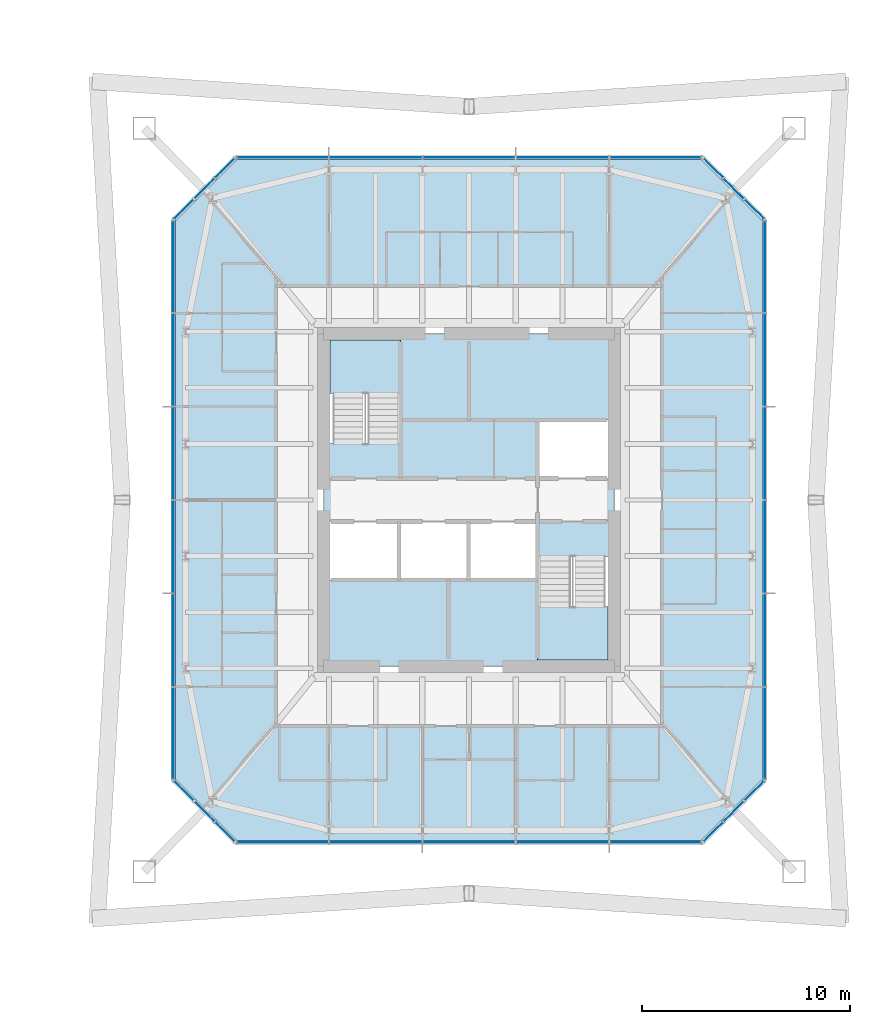
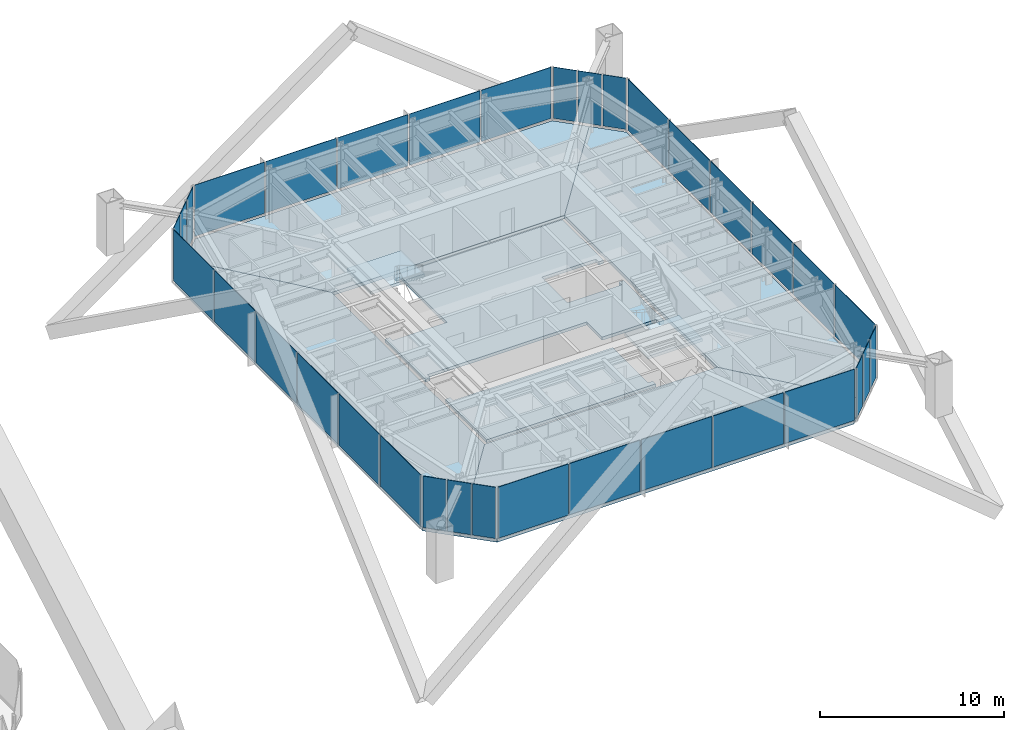
# One storey, part 11 of 21: 34 plates, 8 slabs, 10 elements without a shape of their own.
"""IFC4 building model written with IfcOpenShell, lengths in metres."""

from ifc_helpers import new_model, si_unit, direction, frame, origin, origin_2d, place, context, subcontext, project, spatial, polyline, rectangle, outline, extrude, material, layer, layer_set, constituent, constituent_set, type_object, element, aggregate, save


model = new_model("IFC4")

# Units and contexts
model_context = context("Model", 3, precision=1e-05, world=origin(), true_north=direction((0.0, 1.0)))
body_context = subcontext(model_context, "Body", "Model", "MODEL_VIEW")
ifc_project = project(units=[si_unit("LENGTHUNIT", "METRE"), si_unit("AREAUNIT", "SQUARE_METRE"), si_unit("VOLUMEUNIT", "CUBIC_METRE"), si_unit("PLANEANGLEUNIT", "RADIAN"), si_unit("MASSUNIT", "GRAM", prefix="KILO")], contexts=[model_context])

# Site, building, storey
site_placement = place(None, origin())
site = spatial("IfcSite", under=ifc_project, at=site_placement, CompositionType="ELEMENT")
building_placement = place(site_placement, origin())
building = spatial("IfcBuilding", under=site, at=building_placement, Name="Iwan Alto Co-Living Towers", CompositionType="ELEMENT")
storey_placement = place(building_placement, frame((0.0, 0.0, 80.5)))
storey = spatial("IfcBuildingStorey", under=building, at=storey_placement, Name="L21", CompositionType="ELEMENT", Elevation=80.5)

# Slabs
ifc_material_1 = material(Name="Concrete f'c 30 MPa", Category="concrete")
ifc_layer_1 = layer(ifc_material_1, 0.199951171875)
ifc_layer_set_1 = layer_set([ifc_layer_1], Name="CORE FLOOR SLAB 200")
slab_type_1 = type_object("IfcSlabType", Name="CORE FLOOR SLAB 200", PredefinedType="FLOOR", material=ifc_layer_set_1)
slab_1_placement = place(storey_placement, frame((0.0, 0.0, -0.199951171875)))
element("IfcSlab", 1, at=slab_1_placement, inside=storey, type_object=slab_type_1, Name="T2 core floor L21", PredefinedType="FLOOR", context=body_context, shape_type="SweptSolid", body=[
    extrude(outline(polyline([(70.0, -3.030029296875), (69.699951171875, -3.030029296875), (69.699951171875, -2.719970703125), (66.300048828125, -2.719970703125), (66.300048828125, -1.050048828125), (62.967041015625, -1.050048828125), (59.633056640625, -1.050048828125), (56.300048828125, -1.050048828125), (56.300048828125, -1.360107421875), (56.0, -1.360107421875), (56.0, 3.030029296875), (56.300048828125, 3.030029296875), (56.300048828125, 2.719970703125), (59.699951171875, 2.719970703125), (59.699951171875, 7.699951171875), (59.389892578125, 7.699951171875), (59.389892578125, 8.0), (70.0, 8.0), (70.0, 3.5400390625), (69.699951171875, 3.5400390625), (69.699951171875, 3.85009765625), (66.300048828125, 3.85009765625), (66.300048828125, 1.050048828125), (69.699951171875, 1.050048828125), (69.699951171875, 1.360107421875), (70.0, 1.360107421875), (70.0, -3.030029296875)])), origin(), (0.0, 0.0, 1.0), 0.199951171875),
])
slab_2_placement = place(storey_placement, frame((0.0, 0.0, -0.199951171875)))
element("IfcSlab", 2, at=slab_2_placement, inside=storey, type_object=slab_type_1, Name="T2 core floor L21", PredefinedType="FLOOR", context=body_context, shape_type="SweptSolid", body=[
    extrude(outline(polyline([(62.967041015625, -3.85009765625), (66.300048828125, -3.85009765625), (66.300048828125, -7.699951171875), (66.610107421875, -7.699951171875), (66.610107421875, -8.0), (56.0, -8.0), (56.0, -3.5400390625), (56.300048828125, -3.5400390625), (56.300048828125, -3.85009765625), (59.633056640625, -3.85009765625), (62.967041015625, -3.85009765625)])), origin(), (0.0, 0.0, 1.0), 0.199951171875),
])

# Curtain wall, plates
ifc_material_2 = material(Name="Bronze aluminium unitised frame", Category="aluminium")
curtain_wall_type_1 = type_object("IfcCurtainWallType", Name="CURTAIN WALL CW-C", PredefinedType="NOTDEFINED", material=ifc_material_2)
curtain_wall_1_placement = place(storey_placement, origin())
curtain_wall_1 = element("IfcCurtainWall", 3, at=curtain_wall_1_placement, inside=storey, type_object=curtain_wall_type_1, Name="T2 curtain wall S L21", PredefinedType="NOTDEFINED")
ifc_material_3 = material(Name="Bronze-tinted insulating glass", Category="glass")
ifc_layer_2 = layer(ifc_material_3, 0.031982421875)
ifc_layer_set_2 = layer_set([ifc_layer_2], Name="CW-C PANEL TINTED IGU 32")
plate_type_1 = type_object("IfcPlateType", Name="CW-C PANEL TINTED IGU 32", PredefinedType="CURTAIN_PANEL", material=ifc_layer_set_2)
plate_1_placement = place(storey_placement, frame((54.02001953125, -16.5, 0.10009765625), z_axis=(0.0, 0.0, 1.0), x_axis=(1.0, 0.0, 0.0)))
plate_1 = element("IfcPlate", 4, at=plate_1_placement, type_object=plate_type_1, Name="CW-C panel 1.1", PredefinedType="CURTAIN_PANEL", context=body_context, shape_type="SweptSolid", body=[
    extrude(rectangle(XDim=4.3798828125, YDim=0.031982421875, at=origin_2d()), origin(), (0.0, 0.0, 1.0), 3.39990234375),
])
plate_2_placement = place(storey_placement, frame((58.5, -16.5, 0.10009765625), z_axis=(0.0, 0.0, 1.0), x_axis=(1.0, 0.0, 0.0)))
plate_2 = element("IfcPlate", 5, at=plate_2_placement, type_object=plate_type_1, Name="CW-C panel 2.1", PredefinedType="CURTAIN_PANEL", context=body_context, shape_type="SweptSolid", body=[
    extrude(rectangle(XDim=4.419921875, YDim=0.031982421875, at=origin_2d()), origin(), (0.0, 0.0, 1.0), 3.39990234375),
])
plate_3_placement = place(storey_placement, frame((63.0, -16.5, 0.10009765625), z_axis=(0.0, 0.0, 1.0), x_axis=(1.0, 0.0, 0.0)))
plate_3 = element("IfcPlate", 6, at=plate_3_placement, type_object=plate_type_1, Name="CW-C panel 3.1", PredefinedType="CURTAIN_PANEL", context=body_context, shape_type="SweptSolid", body=[
    extrude(rectangle(XDim=4.419921875, YDim=0.031982421875, at=origin_2d()), origin(), (0.0, 0.0, 1.0), 3.39990234375),
])
plate_4_placement = place(storey_placement, frame((67.5, -16.5, 0.10009765625), z_axis=(0.0, 0.0, 1.0), x_axis=(1.0, 0.0, 0.0)))
plate_4 = element("IfcPlate", 7, at=plate_4_placement, type_object=plate_type_1, Name="CW-C panel 4.1", PredefinedType="CURTAIN_PANEL", context=body_context, shape_type="SweptSolid", body=[
    extrude(rectangle(XDim=4.419921875, YDim=0.031982421875, at=origin_2d()), origin(), (0.0, 0.0, 1.0), 3.39990234375),
])
plate_5_placement = place(storey_placement, frame((71.97998046875, -16.5, 0.10009765625), z_axis=(0.0, 0.0, 1.0), x_axis=(1.0, 0.0, 0.0)))
plate_5 = element("IfcPlate", 8, at=plate_5_placement, type_object=plate_type_1, Name="CW-C panel 5.1", PredefinedType="CURTAIN_PANEL", context=body_context, shape_type="SweptSolid", body=[
    extrude(rectangle(XDim=4.3798828125, YDim=0.031982421875, at=origin_2d()), origin(), (0.0, 0.0, 1.0), 3.39990234375),
])
aggregate(curtain_wall_1, [plate_1, plate_2, plate_3, plate_4, plate_5])

curtain_wall_2_placement = place(storey_placement, origin())
curtain_wall_2 = element("IfcCurtainWall", 9, at=curtain_wall_2_placement, inside=storey, type_object=curtain_wall_type_1, Name="T2 curtain wall E L21", PredefinedType="NOTDEFINED")
plate_6_placement = place(storey_placement, frame((77.25, -11.22998046875, 0.10009765625), z_axis=(0.0, 0.0, 1.0), x_axis=(0.0, 1.0, 0.0)))
plate_6 = element("IfcPlate", 10, at=plate_6_placement, type_object=plate_type_1, Name="CW-C panel 1.1", PredefinedType="CURTAIN_PANEL", context=body_context, shape_type="SweptSolid", body=[
    extrude(rectangle(XDim=4.3798828125, YDim=0.031982421875, at=origin_2d()), origin(), (0.0, 0.0, 1.0), 3.39990234375),
])
plate_7_placement = place(storey_placement, frame((77.25, -6.75, 0.10009765625), z_axis=(0.0, 0.0, 1.0), x_axis=(0.0, 1.0, 0.0)))
plate_7 = element("IfcPlate", 11, at=plate_7_placement, type_object=plate_type_1, Name="CW-C panel 2.1", PredefinedType="CURTAIN_PANEL", context=body_context, shape_type="SweptSolid", body=[
    extrude(rectangle(XDim=4.419921875, YDim=0.031982421875, at=origin_2d()), origin(), (0.0, 0.0, 1.0), 3.39990234375),
])
plate_8_placement = place(storey_placement, frame((77.25, -2.25, 0.10009765625), z_axis=(0.0, 0.0, 1.0), x_axis=(0.0, 1.0, 0.0)))
plate_8 = element("IfcPlate", 12, at=plate_8_placement, type_object=plate_type_1, Name="CW-C panel 3.1", PredefinedType="CURTAIN_PANEL", context=body_context, shape_type="SweptSolid", body=[
    extrude(rectangle(XDim=4.419921875, YDim=0.031982421875, at=origin_2d()), origin(), (0.0, 0.0, 1.0), 3.39990234375),
])
plate_9_placement = place(storey_placement, frame((77.25, 2.25, 0.10009765625), z_axis=(0.0, 0.0, 1.0), x_axis=(0.0, 1.0, 0.0)))
plate_9 = element("IfcPlate", 13, at=plate_9_placement, type_object=plate_type_1, Name="CW-C panel 4.1", PredefinedType="CURTAIN_PANEL", context=body_context, shape_type="SweptSolid", body=[
    extrude(rectangle(XDim=4.419921875, YDim=0.031982421875, at=origin_2d()), origin(), (0.0, 0.0, 1.0), 3.39990234375),
])
plate_10_placement = place(storey_placement, frame((77.25, 6.75, 0.10009765625), z_axis=(0.0, 0.0, 1.0), x_axis=(0.0, 1.0, 0.0)))
plate_10 = element("IfcPlate", 14, at=plate_10_placement, type_object=plate_type_1, Name="CW-C panel 5.1", PredefinedType="CURTAIN_PANEL", context=body_context, shape_type="SweptSolid", body=[
    extrude(rectangle(XDim=4.419921875, YDim=0.031982421875, at=origin_2d()), origin(), (0.0, 0.0, 1.0), 3.39990234375),
])
plate_11_placement = place(storey_placement, frame((77.25, 11.22998046875, 0.10009765625), z_axis=(0.0, 0.0, 1.0), x_axis=(0.0, 1.0, 0.0)))
plate_11 = element("IfcPlate", 15, at=plate_11_placement, type_object=plate_type_1, Name="CW-C panel 6.1", PredefinedType="CURTAIN_PANEL", context=body_context, shape_type="SweptSolid", body=[
    extrude(rectangle(XDim=4.3798828125, YDim=0.031982421875, at=origin_2d()), origin(), (0.0, 0.0, 1.0), 3.39990234375),
])
aggregate(curtain_wall_2, [plate_6, plate_7, plate_8, plate_9, plate_10, plate_11])

curtain_wall_3_placement = place(storey_placement, origin())
curtain_wall_3 = element("IfcCurtainWall", 16, at=curtain_wall_3_placement, inside=storey, type_object=curtain_wall_type_1, Name="T2 curtain wall N L21", PredefinedType="NOTDEFINED")
plate_12_placement = place(storey_placement, frame((71.97998046875, 16.5, 0.10009765625), z_axis=(0.0, 0.0, 1.0), x_axis=(-1.0, 0.0, 0.0)))
plate_12 = element("IfcPlate", 17, at=plate_12_placement, type_object=plate_type_1, Name="CW-C panel 1.1", PredefinedType="CURTAIN_PANEL", context=body_context, shape_type="SweptSolid", body=[
    extrude(rectangle(XDim=4.3798828125, YDim=0.031982421875, at=origin_2d()), origin(), (0.0, 0.0, 1.0), 3.39990234375),
])
plate_13_placement = place(storey_placement, frame((67.5, 16.5, 0.10009765625), z_axis=(0.0, 0.0, 1.0), x_axis=(-1.0, 0.0, 0.0)))
plate_13 = element("IfcPlate", 18, at=plate_13_placement, type_object=plate_type_1, Name="CW-C panel 2.1", PredefinedType="CURTAIN_PANEL", context=body_context, shape_type="SweptSolid", body=[
    extrude(rectangle(XDim=4.419921875, YDim=0.031982421875, at=origin_2d()), origin(), (0.0, 0.0, 1.0), 3.39990234375),
])
plate_14_placement = place(storey_placement, frame((63.0, 16.5, 0.10009765625), z_axis=(0.0, 0.0, 1.0), x_axis=(-1.0, 0.0, 0.0)))
plate_14 = element("IfcPlate", 19, at=plate_14_placement, type_object=plate_type_1, Name="CW-C panel 3.1", PredefinedType="CURTAIN_PANEL", context=body_context, shape_type="SweptSolid", body=[
    extrude(rectangle(XDim=4.419921875, YDim=0.031982421875, at=origin_2d()), origin(), (0.0, 0.0, 1.0), 3.39990234375),
])
plate_15_placement = place(storey_placement, frame((58.5, 16.5, 0.10009765625), z_axis=(0.0, 0.0, 1.0), x_axis=(-1.0, 0.0, 0.0)))
plate_15 = element("IfcPlate", 20, at=plate_15_placement, type_object=plate_type_1, Name="CW-C panel 4.1", PredefinedType="CURTAIN_PANEL", context=body_context, shape_type="SweptSolid", body=[
    extrude(rectangle(XDim=4.419921875, YDim=0.031982421875, at=origin_2d()), origin(), (0.0, 0.0, 1.0), 3.39990234375),
])
plate_16_placement = place(storey_placement, frame((54.02001953125, 16.5, 0.10009765625), z_axis=(0.0, 0.0, 1.0), x_axis=(-1.0, 0.0, 0.0)))
plate_16 = element("IfcPlate", 21, at=plate_16_placement, type_object=plate_type_1, Name="CW-C panel 5.1", PredefinedType="CURTAIN_PANEL", context=body_context, shape_type="SweptSolid", body=[
    extrude(rectangle(XDim=4.3798828125, YDim=0.031982421875, at=origin_2d()), origin(), (0.0, 0.0, 1.0), 3.39990234375),
])
aggregate(curtain_wall_3, [plate_12, plate_13, plate_14, plate_15, plate_16])

curtain_wall_4_placement = place(storey_placement, origin())
curtain_wall_4 = element("IfcCurtainWall", 22, at=curtain_wall_4_placement, inside=storey, type_object=curtain_wall_type_1, Name="T2 curtain wall W L21", PredefinedType="NOTDEFINED")
plate_17_placement = place(storey_placement, frame((48.75, 11.22998046875, 0.10009765625), z_axis=(0.0, 0.0, 1.0), x_axis=(0.0, -1.0, 0.0)))
plate_17 = element("IfcPlate", 23, at=plate_17_placement, type_object=plate_type_1, Name="CW-C panel 1.1", PredefinedType="CURTAIN_PANEL", context=body_context, shape_type="SweptSolid", body=[
    extrude(rectangle(XDim=4.3798828125, YDim=0.031982421875, at=origin_2d()), origin(), (0.0, 0.0, 1.0), 3.39990234375),
])
plate_18_placement = place(storey_placement, frame((48.75, 6.75, 0.10009765625), z_axis=(0.0, 0.0, 1.0), x_axis=(0.0, -1.0, 0.0)))
plate_18 = element("IfcPlate", 24, at=plate_18_placement, type_object=plate_type_1, Name="CW-C panel 2.1", PredefinedType="CURTAIN_PANEL", context=body_context, shape_type="SweptSolid", body=[
    extrude(rectangle(XDim=4.419921875, YDim=0.031982421875, at=origin_2d()), origin(), (0.0, 0.0, 1.0), 3.39990234375),
])
plate_19_placement = place(storey_placement, frame((48.75, 2.25, 0.10009765625), z_axis=(0.0, 0.0, 1.0), x_axis=(0.0, -1.0, 0.0)))
plate_19 = element("IfcPlate", 25, at=plate_19_placement, type_object=plate_type_1, Name="CW-C panel 3.1", PredefinedType="CURTAIN_PANEL", context=body_context, shape_type="SweptSolid", body=[
    extrude(rectangle(XDim=4.419921875, YDim=0.031982421875, at=origin_2d()), origin(), (0.0, 0.0, 1.0), 3.39990234375),
])
plate_20_placement = place(storey_placement, frame((48.75, -2.25, 0.10009765625), z_axis=(0.0, 0.0, 1.0), x_axis=(0.0, -1.0, 0.0)))
plate_20 = element("IfcPlate", 26, at=plate_20_placement, type_object=plate_type_1, Name="CW-C panel 4.1", PredefinedType="CURTAIN_PANEL", context=body_context, shape_type="SweptSolid", body=[
    extrude(rectangle(XDim=4.419921875, YDim=0.031982421875, at=origin_2d()), origin(), (0.0, 0.0, 1.0), 3.39990234375),
])
plate_21_placement = place(storey_placement, frame((48.75, -6.75, 0.10009765625), z_axis=(0.0, 0.0, 1.0), x_axis=(0.0, -1.0, 0.0)))
plate_21 = element("IfcPlate", 27, at=plate_21_placement, type_object=plate_type_1, Name="CW-C panel 5.1", PredefinedType="CURTAIN_PANEL", context=body_context, shape_type="SweptSolid", body=[
    extrude(rectangle(XDim=4.419921875, YDim=0.031982421875, at=origin_2d()), origin(), (0.0, 0.0, 1.0), 3.39990234375),
])
plate_22_placement = place(storey_placement, frame((48.75, -11.22998046875, 0.10009765625), z_axis=(0.0, 0.0, 1.0), x_axis=(0.0, -1.0, 0.0)))
plate_22 = element("IfcPlate", 28, at=plate_22_placement, type_object=plate_type_1, Name="CW-C panel 6.1", PredefinedType="CURTAIN_PANEL", context=body_context, shape_type="SweptSolid", body=[
    extrude(rectangle(XDim=4.3798828125, YDim=0.031982421875, at=origin_2d()), origin(), (0.0, 0.0, 1.0), 3.39990234375),
])
aggregate(curtain_wall_4, [plate_17, plate_18, plate_19, plate_20, plate_21, plate_22])

ifc_material_4 = material(Name="Bronze aluminium unitised frame", Category="aluminium")
curtain_wall_type_2 = type_object("IfcCurtainWallType", Name="CURTAIN WALL CW-D", PredefinedType="NOTDEFINED", material=ifc_material_4)
curtain_wall_5_placement = place(storey_placement, origin())
curtain_wall_5 = element("IfcCurtainWall", 29, at=curtain_wall_5_placement, inside=storey, type_object=curtain_wall_type_2, Name="T2 chamfer curtain wall SE L21", PredefinedType="NOTDEFINED")
ifc_material_5 = material(Name="Bronze-tinted insulating glass", Category="glass")
ifc_layer_3 = layer(ifc_material_5, 0.031982421875)
ifc_layer_set_3 = layer_set([ifc_layer_3], Name="CW-D PANEL TINTED IGU 32")
plate_type_2 = type_object("IfcPlateType", Name="CW-D PANEL TINTED IGU 32", PredefinedType="CURTAIN_PANEL", material=ifc_layer_set_3)
plate_23_placement = place(storey_placement, frame((74.76416015625, -15.98583984375, 0.10009765625), z_axis=(0.0, 0.0, 1.0), x_axis=(0.707106781187, 0.707106781187, 0.0)))
plate_23 = element("IfcPlate", 30, at=plate_23_placement, type_object=plate_type_2, Name="CW-D panel 1.1", PredefinedType="CURTAIN_PANEL", context=body_context, shape_type="SweptSolid", body=[
    extrude(rectangle(XDim=1.294189453125, YDim=0.031982421875, at=origin_2d()), origin(), (0.0, 0.0, 1.0), 3.39990234375),
])
plate_24_placement = place(storey_placement, frame((75.75, -15.0, 0.10009765625), z_axis=(0.0, 0.0, 1.0), x_axis=(0.707106781187, 0.707106781187, 0.0)))
plate_24 = element("IfcPlate", 31, at=plate_24_placement, type_object=plate_type_2, Name="CW-D panel 2.1", PredefinedType="CURTAIN_PANEL", context=body_context, shape_type="SweptSolid", body=[
    extrude(rectangle(XDim=1.334228515625, YDim=0.031982421875, at=origin_2d()), origin(), (0.0, 0.0, 1.0), 3.39990234375),
])
plate_25_placement = place(storey_placement, frame((76.73583984375, -14.01416015625, 0.10009765625), z_axis=(0.0, 0.0, 1.0), x_axis=(0.707106781187, 0.707106781187, 0.0)))
plate_25 = element("IfcPlate", 32, at=plate_25_placement, type_object=plate_type_2, Name="CW-D panel 3.1", PredefinedType="CURTAIN_PANEL", context=body_context, shape_type="SweptSolid", body=[
    extrude(rectangle(XDim=1.294189453125, YDim=0.031982421875, at=origin_2d()), origin(), (0.0, 0.0, 1.0), 3.39990234375),
])
aggregate(curtain_wall_5, [plate_23, plate_24, plate_25])

curtain_wall_6_placement = place(storey_placement, origin())
curtain_wall_6 = element("IfcCurtainWall", 33, at=curtain_wall_6_placement, inside=storey, type_object=curtain_wall_type_2, Name="T2 chamfer curtain wall NE L21", PredefinedType="NOTDEFINED")
plate_26_placement = place(storey_placement, frame((76.73583984375, 14.01416015625, 0.10009765625), z_axis=(0.0, 0.0, 1.0), x_axis=(-0.707106781187, 0.707106781187, 0.0)))
plate_26 = element("IfcPlate", 34, at=plate_26_placement, type_object=plate_type_2, Name="CW-D panel 1.1", PredefinedType="CURTAIN_PANEL", context=body_context, shape_type="SweptSolid", body=[
    extrude(rectangle(XDim=1.294189453125, YDim=0.031982421875, at=origin_2d()), origin(), (0.0, 0.0, 1.0), 3.39990234375),
])
plate_27_placement = place(storey_placement, frame((75.75, 15.0, 0.10009765625), z_axis=(0.0, 0.0, 1.0), x_axis=(-0.707106781187, 0.707106781187, 0.0)))
plate_27 = element("IfcPlate", 35, at=plate_27_placement, type_object=plate_type_2, Name="CW-D panel 2.1", PredefinedType="CURTAIN_PANEL", context=body_context, shape_type="SweptSolid", body=[
    extrude(rectangle(XDim=1.334228515625, YDim=0.031982421875, at=origin_2d()), origin(), (0.0, 0.0, 1.0), 3.39990234375),
])
plate_28_placement = place(storey_placement, frame((74.76416015625, 15.98583984375, 0.10009765625), z_axis=(0.0, 0.0, 1.0), x_axis=(-0.707106781187, 0.707106781187, 0.0)))
plate_28 = element("IfcPlate", 36, at=plate_28_placement, type_object=plate_type_2, Name="CW-D panel 3.1", PredefinedType="CURTAIN_PANEL", context=body_context, shape_type="SweptSolid", body=[
    extrude(rectangle(XDim=1.294189453125, YDim=0.031982421875, at=origin_2d()), origin(), (0.0, 0.0, 1.0), 3.39990234375),
])
aggregate(curtain_wall_6, [plate_26, plate_27, plate_28])

curtain_wall_7_placement = place(storey_placement, origin())
curtain_wall_7 = element("IfcCurtainWall", 37, at=curtain_wall_7_placement, inside=storey, type_object=curtain_wall_type_2, Name="T2 chamfer curtain wall NW L21", PredefinedType="NOTDEFINED")
plate_29_placement = place(storey_placement, frame((51.23583984375, 15.98583984375, 0.10009765625), z_axis=(0.0, 0.0, 1.0), x_axis=(-0.707106781187, -0.707106781187, 0.0)))
plate_29 = element("IfcPlate", 38, at=plate_29_placement, type_object=plate_type_2, Name="CW-D panel 1.1", PredefinedType="CURTAIN_PANEL", context=body_context, shape_type="SweptSolid", body=[
    extrude(rectangle(XDim=1.294189453125, YDim=0.031982421875, at=origin_2d()), origin(), (0.0, 0.0, 1.0), 3.39990234375),
])
plate_30_placement = place(storey_placement, frame((50.25, 15.0, 0.10009765625), z_axis=(0.0, 0.0, 1.0), x_axis=(-0.707106781187, -0.707106781187, 0.0)))
plate_30 = element("IfcPlate", 39, at=plate_30_placement, type_object=plate_type_2, Name="CW-D panel 2.1", PredefinedType="CURTAIN_PANEL", context=body_context, shape_type="SweptSolid", body=[
    extrude(rectangle(XDim=1.334228515625, YDim=0.031982421875, at=origin_2d()), origin(), (0.0, 0.0, 1.0), 3.39990234375),
])
plate_31_placement = place(storey_placement, frame((49.26416015625, 14.01416015625, 0.10009765625), z_axis=(0.0, 0.0, 1.0), x_axis=(-0.707106781187, -0.707106781187, 0.0)))
plate_31 = element("IfcPlate", 40, at=plate_31_placement, type_object=plate_type_2, Name="CW-D panel 3.1", PredefinedType="CURTAIN_PANEL", context=body_context, shape_type="SweptSolid", body=[
    extrude(rectangle(XDim=1.294189453125, YDim=0.031982421875, at=origin_2d()), origin(), (0.0, 0.0, 1.0), 3.39990234375),
])
aggregate(curtain_wall_7, [plate_29, plate_30, plate_31])

curtain_wall_8_placement = place(storey_placement, origin())
curtain_wall_8 = element("IfcCurtainWall", 41, at=curtain_wall_8_placement, inside=storey, type_object=curtain_wall_type_2, Name="T2 chamfer curtain wall SW L21", PredefinedType="NOTDEFINED")
plate_32_placement = place(storey_placement, frame((49.26416015625, -14.01416015625, 0.10009765625), z_axis=(0.0, 0.0, 1.0), x_axis=(0.707106781187, -0.707106781187, 0.0)))
plate_32 = element("IfcPlate", 42, at=plate_32_placement, type_object=plate_type_2, Name="CW-D panel 1.1", PredefinedType="CURTAIN_PANEL", context=body_context, shape_type="SweptSolid", body=[
    extrude(rectangle(XDim=1.294189453125, YDim=0.031982421875, at=origin_2d()), origin(), (0.0, 0.0, 1.0), 3.39990234375),
])
plate_33_placement = place(storey_placement, frame((50.25, -15.0, 0.10009765625), z_axis=(0.0, 0.0, 1.0), x_axis=(0.707106781187, -0.707106781187, 0.0)))
plate_33 = element("IfcPlate", 43, at=plate_33_placement, type_object=plate_type_2, Name="CW-D panel 2.1", PredefinedType="CURTAIN_PANEL", context=body_context, shape_type="SweptSolid", body=[
    extrude(rectangle(XDim=1.334228515625, YDim=0.031982421875, at=origin_2d()), origin(), (0.0, 0.0, 1.0), 3.39990234375),
])
plate_34_placement = place(storey_placement, frame((51.23583984375, -15.98583984375, 0.10009765625), z_axis=(0.0, 0.0, 1.0), x_axis=(0.707106781187, -0.707106781187, 0.0)))
plate_34 = element("IfcPlate", 44, at=plate_34_placement, type_object=plate_type_2, Name="CW-D panel 3.1", PredefinedType="CURTAIN_PANEL", context=body_context, shape_type="SweptSolid", body=[
    extrude(rectangle(XDim=1.294189453125, YDim=0.031982421875, at=origin_2d()), origin(), (0.0, 0.0, 1.0), 3.39990234375),
])
aggregate(curtain_wall_8, [plate_32, plate_33, plate_34])

# Stair, slab
ifc_material_6 = material(Name="Steel ASTM A36", Category="steel")
ifc_constituent_1 = constituent(ifc_material_6, Name="Stringers", Category="LoadBearing")
ifc_material_7 = material(Name="Concrete f'c 30 MPa", Category="concrete")
ifc_constituent_2 = constituent(ifc_material_7, Name="Tread fill", Category="Finish")
ifc_constituent_set = constituent_set(constituents=[ifc_constituent_1, ifc_constituent_2], Name="STAIR 3500 TWO-FLIGHT T2 CORE")
stair_type = type_object("IfcStairType", Name="STAIR 3500 TWO-FLIGHT T2 CORE", PredefinedType="HALF_TURN_STAIR", material=ifc_constituent_set)
stair_1_placement = place(storey_placement, origin())
stair_1 = element("IfcStair", 45, at=stair_1_placement, inside=storey, type_object=stair_type, Name="Stair T2-S1 L21 to L22", PredefinedType="HALF_TURN_STAIR")
ifc_material_8 = material(Name="Concrete f'c 30 MPa", Category="concrete")
ifc_layer_4 = layer(ifc_material_8, 0.199951171875)
ifc_layer_set_4 = layer_set([ifc_layer_4], Name="STAIR LANDING 200")
slab_type_2 = type_object("IfcSlabType", Name="STAIR LANDING 200", PredefinedType="LANDING", material=ifc_layer_set_4)
slab_3_placement = place(storey_placement, frame((0.0, 0.0, 1.550048828125)))
slab_3 = element("IfcSlab", 46, at=slab_3_placement, type_object=slab_type_2, Name="T2-S1 landing 1", PredefinedType="LANDING", context=body_context, shape_type="SweptSolid", body=[
    extrude(outline(polyline([(56.300048828125, 5.139892578125), (56.300048828125, 7.699951171875), (59.699951171875, 7.699951171875), (59.699951171875, 5.139892578125), (56.300048828125, 5.139892578125)])), origin(), (0.0, 0.0, 1.0), 0.199951171875),
])
aggregate(stair_1, [slab_3])

stair_2_placement = place(storey_placement, origin())
stair_2 = element("IfcStair", 47, at=stair_2_placement, inside=storey, type_object=stair_type, Name="Stair T2-S2 L21 to L22", PredefinedType="HALF_TURN_STAIR")
slab_4_placement = place(storey_placement, frame((0.0, 0.0, 1.550048828125)))
slab_4 = element("IfcSlab", 48, at=slab_4_placement, type_object=slab_type_2, Name="T2-S2 landing 1", PredefinedType="LANDING", context=body_context, shape_type="SweptSolid", body=[
    extrude(outline(polyline([(66.300048828125, -5.139892578125), (66.300048828125, -7.699951171875), (69.699951171875, -7.699951171875), (69.699951171875, -5.139892578125), (66.300048828125, -5.139892578125)])), origin(), (0.0, 0.0, 1.0), 0.199951171875),
])
aggregate(stair_2, [slab_4])

# Slabs
ifc_material_9 = material(Name="Concrete f'c 30 MPa", Category="concrete")
ifc_layer_5 = layer(ifc_material_9, 0.22998046875)
ifc_layer_set_5 = layer_set([ifc_layer_5], Name="T2 FLOOR SLAB 230")
slab_type_3 = type_object("IfcSlabType", Name="T2 FLOOR SLAB 230", PredefinedType="FLOOR", material=ifc_layer_set_5)
slab_5_placement = place(storey_placement, frame((0.0, 0.0, -0.22998046875)))
element("IfcSlab", 49, at=slab_5_placement, inside=storey, type_object=slab_type_3, Name="T2 floor slab L21 S pour", PredefinedType="FLOOR", context=body_context, shape_type="SweptSolid", body=[
    extrude(outline(polyline([(74.19140625, -16.39990234375), (51.80859375, -16.39990234375), (50.330810546875, -14.92236328125), (55.699951171875, -8.300048828125), (70.300048828125, -8.300048828125), (75.669189453125, -14.92236328125), (74.19140625, -16.39990234375)])), origin(), (0.0, 0.0, 1.0), 0.22998046875),
])
slab_6_placement = place(storey_placement, frame((0.0, 0.0, -0.22998046875)))
element("IfcSlab", 50, at=slab_6_placement, inside=storey, type_object=slab_type_3, Name="T2 floor slab L21 E pour", PredefinedType="FLOOR", context=body_context, shape_type="SweptSolid", body=[
    extrude(outline(polyline([(77.14990234375, 13.44140625), (77.14990234375, -13.44140625), (75.669189453125, -14.92236328125), (70.300048828125, -8.300048828125), (70.300048828125, 8.300048828125), (75.669189453125, 14.92236328125), (77.14990234375, 13.44140625)])), origin(), (0.0, 0.0, 1.0), 0.22998046875),
])
slab_7_placement = place(storey_placement, frame((0.0, 0.0, -0.22998046875)))
element("IfcSlab", 51, at=slab_7_placement, inside=storey, type_object=slab_type_3, Name="T2 floor slab L21 N pour", PredefinedType="FLOOR", context=body_context, shape_type="SweptSolid", body=[
    extrude(outline(polyline([(51.80859375, 16.39990234375), (74.19140625, 16.39990234375), (75.669189453125, 14.92236328125), (70.300048828125, 8.300048828125), (55.699951171875, 8.300048828125), (50.330810546875, 14.92236328125), (51.80859375, 16.39990234375)])), origin(), (0.0, 0.0, 1.0), 0.22998046875),
])
slab_8_placement = place(storey_placement, frame((0.0, 0.0, -0.22998046875)))
element("IfcSlab", 52, at=slab_8_placement, inside=storey, type_object=slab_type_3, Name="T2 floor slab L21 W pour", PredefinedType="FLOOR", context=body_context, shape_type="SweptSolid", body=[
    extrude(outline(polyline([(48.85009765625, 13.44140625), (50.330810546875, 14.92236328125), (55.699951171875, 8.300048828125), (55.699951171875, -8.300048828125), (50.330810546875, -14.92236328125), (48.85009765625, -13.44140625), (48.85009765625, 13.44140625)])), origin(), (0.0, 0.0, 1.0), 0.22998046875),
])

save(model, "model.ifc")
